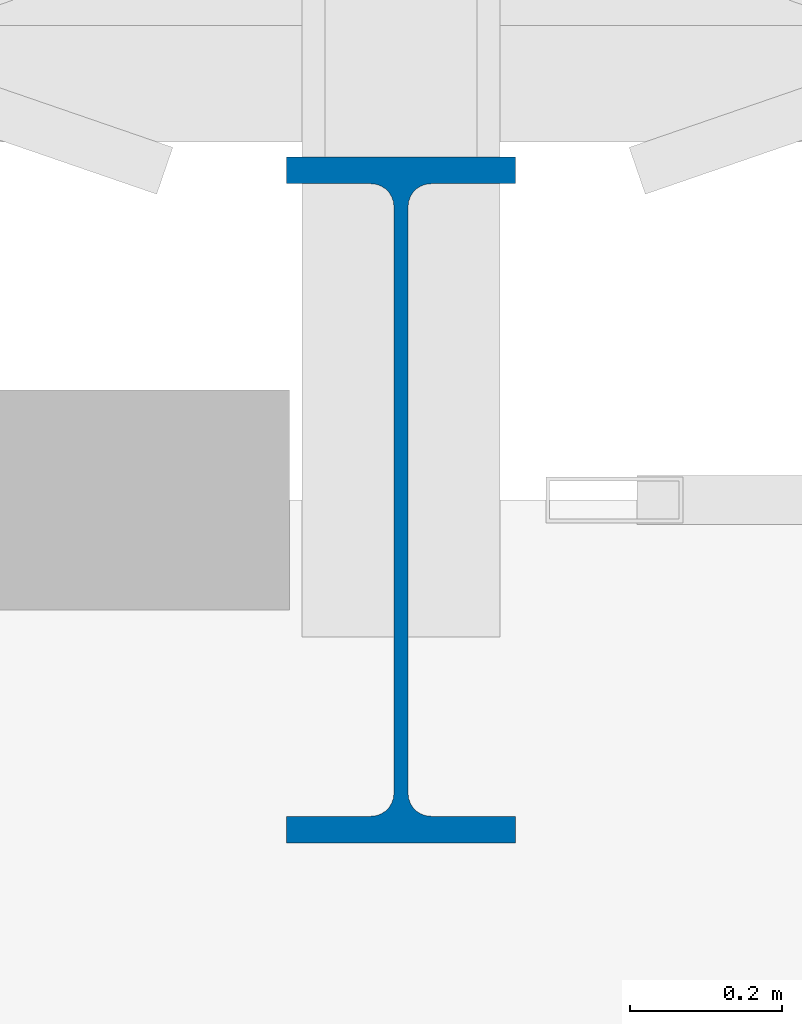
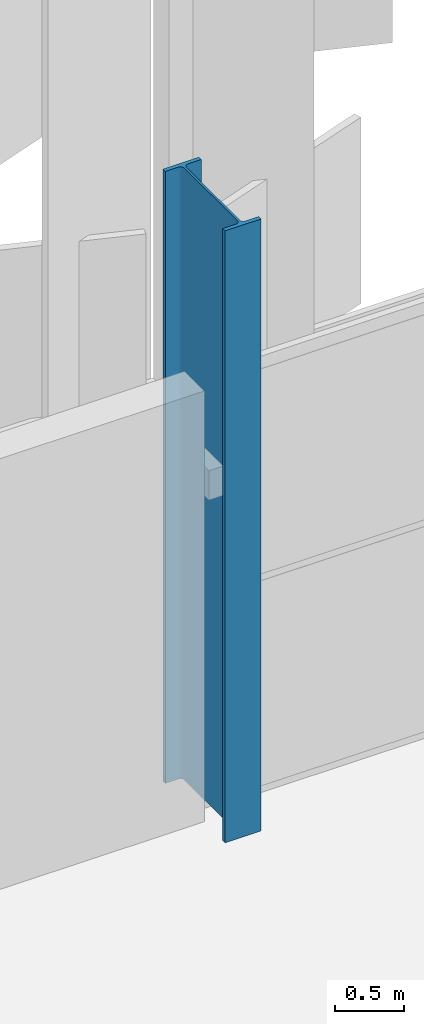
# One storey, part 9 of 210: 1 column.
"""IFC4 building model written with IfcOpenShell, lengths in metres."""

from ifc_helpers import new_model, si_unit, direction, frame, origin, origin_2d, place, context, subcontext, project, spatial, i_section, extrude, material, material_profile, profile_set, type_object, element, save


model = new_model("IFC4")

# Units and contexts
model_context = context("Model", 3, precision=1e-05, world=origin(), true_north=direction((0.0, 1.0)))
body_context = subcontext(model_context, "Body", "Model", "MODEL_VIEW")
ifc_project = project(units=[si_unit("LENGTHUNIT", "METRE"), si_unit("AREAUNIT", "SQUARE_METRE"), si_unit("VOLUMEUNIT", "CUBIC_METRE"), si_unit("PLANEANGLEUNIT", "RADIAN"), si_unit("MASSUNIT", "GRAM", prefix="KILO")], contexts=[model_context])

# Site, building, storey
site_placement = place(None, origin())
site = spatial("IfcSite", under=ifc_project, at=site_placement, CompositionType="ELEMENT")
building_placement = place(site_placement, origin())
building = spatial("IfcBuilding", under=site, at=building_placement, Name="Kaldris Quays Convention Centre", CompositionType="ELEMENT")
storey_placement = place(building_placement, frame((0.0, 0.0, 6.0)))
storey = spatial("IfcBuildingStorey", under=building, at=storey_placement, Name="L01", CompositionType="ELEMENT", Elevation=6.0)

# Column
ifc_material = material(Name="Steel S355J2", Category="steel")
ifc_material_profile = material_profile(ifc_material, i_section(OverallWidth=0.300048828125, OverallDepth=0.89990234375, WebThickness=0.0185546875, FlangeThickness=0.034912109375, FilletRadius=0.030029296875, at=origin_2d()), Name="HEB 900")
ifc_profile_set = profile_set([ifc_material_profile], Name="Steel S355J2")
column_type = type_object("IfcColumnType", Name="STRUCTURAL COLUMN CL03", PredefinedType="COLUMN", material=ifc_profile_set)
column_placement = place(storey_placement, frame((83.0, 140.0, 0.0), z_axis=(0.0, 0.0, 1.0), x_axis=(1.0, 0.0, 0.0)))
element("IfcColumn", 1, at=column_placement, inside=storey, type_object=column_type, Name="L01 V1 Column CL03 (83.00, 140.00)", PredefinedType="COLUMN", context=body_context, shape_type="SweptSolid", body=[
    extrude(i_section(OverallWidth=0.300048828125, OverallDepth=0.89990234375, WebThickness=0.0185546875, FlangeThickness=0.034912109375, FilletRadius=0.030029296875, at=origin_2d()), origin(), (0.0, 0.0, 1.0), 5.39990234375),
])

save(model, "model.ifc")
